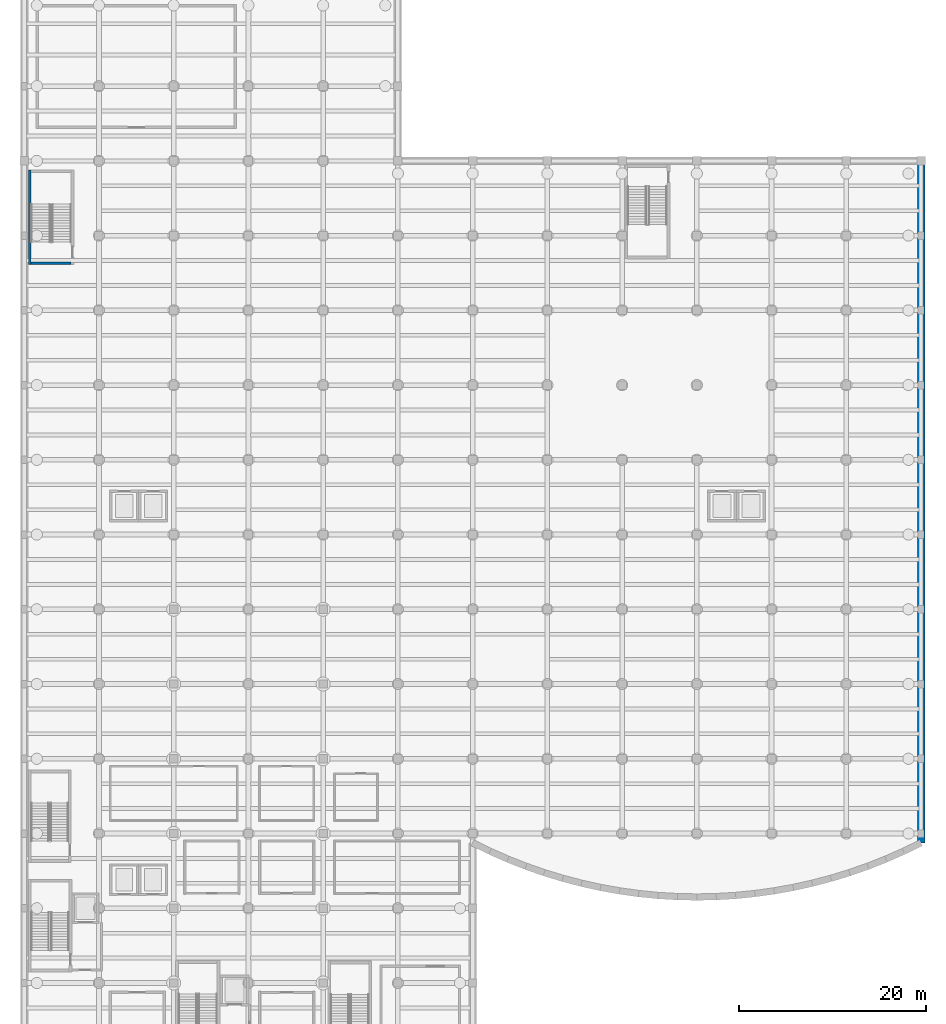
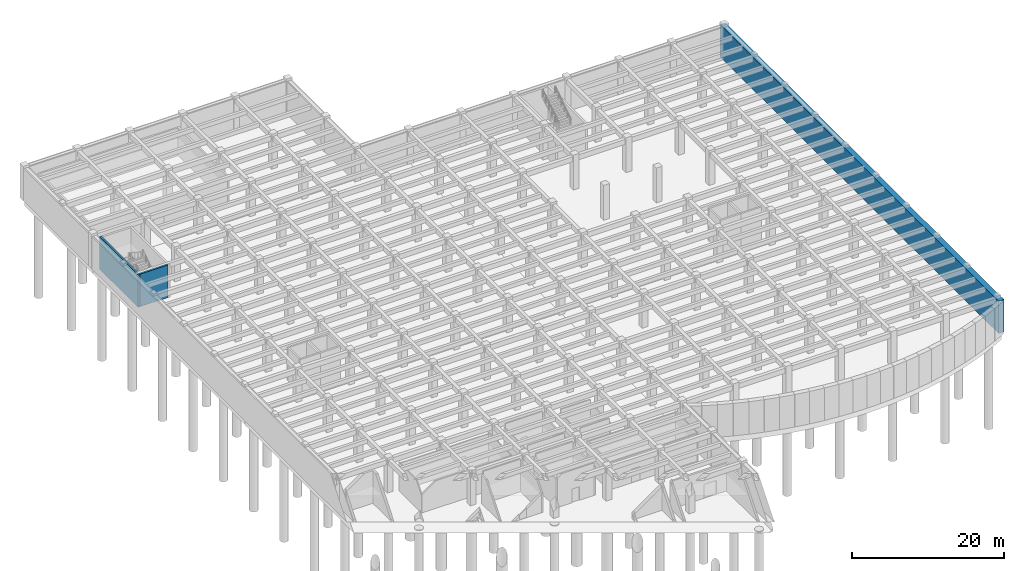
# One storey, part 10 of 18: 3 walls.
"""IFC4 building model written with IfcOpenShell, lengths in metres."""

from ifc_helpers import new_model, si_unit, direction, frame, frame_2d, origin, place, context, subcontext, project, spatial, rectangle, extrude, material, layer, layer_set, type_object, element, save


model = new_model("IFC4")

# Units and contexts
model_context = context("Model", 3, precision=1e-05, world=origin(), true_north=direction((0.0, 1.0)))
body_context = subcontext(model_context, "Body", "Model", "MODEL_VIEW")
ifc_project = project(units=[si_unit("LENGTHUNIT", "METRE"), si_unit("AREAUNIT", "SQUARE_METRE"), si_unit("VOLUMEUNIT", "CUBIC_METRE"), si_unit("PLANEANGLEUNIT", "RADIAN"), si_unit("MASSUNIT", "GRAM", prefix="KILO")], contexts=[model_context])

# Site, building, storey
site_placement = place(None, origin())
site = spatial("IfcSite", under=ifc_project, at=site_placement, CompositionType="ELEMENT")
building_placement = place(site_placement, origin())
building = spatial("IfcBuilding", under=site, at=building_placement, Name="Drelvath Fold Interchange", CompositionType="ELEMENT")
storey_placement = place(building_placement, frame((0.0, 0.0, -11.199951171875)))
storey = spatial("IfcBuildingStorey", under=building, at=storey_placement, Name="B2", CompositionType="ELEMENT", Elevation=-11.199951171875)

# Walls
ifc_material = material(Name="Concrete f'c 45 MPa (6500 psi)", Category="concrete")
ifc_layer_1 = layer(ifc_material, 0.300048828125, Name="Concrete f'c 45 MPa (6500 psi)")
ifc_layer_set_1 = layer_set([ifc_layer_1], Name="Concrete f'c 45 MPa (6500 psi)")
wall_type_1 = type_object("IfcWallType", Name="WL-CR300", PredefinedType="SHEAR", material=ifc_layer_set_1)
wall_1_placement = place(storey_placement, frame((4.75, 88.050048828125, 0.0), z_axis=(0.0, 0.0, 1.0), x_axis=(1.0, 0.0, 0.0)))
element("IfcWall", 1, at=wall_1_placement, inside=storey, type_object=wall_type_1, Name="ST-05 B2 south core wall", PredefinedType="SHEAR", context=body_context, shape_type="SweptSolid", body=[
    extrude(rectangle(XDim=4.280029296875, YDim=0.300048828125, at=frame_2d((2.14013671875, 0.0))), origin(), (0.0, 0.0, 1.0), 5.23486328125),
])
wall_2_placement = place(storey_placement, frame((4.60009765625, 98.050048828125, 0.0), z_axis=(0.0, 0.0, 1.0), x_axis=(0.0, -1.0, 0.0)))
element("IfcWall", 2, at=wall_2_placement, inside=storey, type_object=wall_type_1, Name="ST-05 B2 west core wall", PredefinedType="SHEAR", context=body_context, shape_type="SweptSolid", body=[
    extrude(rectangle(XDim=10.150146484375, YDim=0.300048828125, at=frame_2d((5.0751953125, 0.0))), origin(), (0.0, 0.0, 1.0), 5.23486328125),
])
ifc_layer_2 = layer(ifc_material, 0.800048828125, Name="Concrete f'c 45 MPa (6500 psi)")
ifc_layer_set_2 = layer_set([ifc_layer_2], Name="Concrete f'c 45 MPa (6500 psi)")
wall_type_2 = type_object("IfcWallType", Name="WL-DW800", PredefinedType="SOLIDWALL", material=ifc_layer_set_2)
wall_3_placement = place(storey_placement, frame((100.0, 26.0, 0.0), z_axis=(0.0, 0.0, 1.0), x_axis=(0.0, 1.0, 0.0)))
element("IfcWall", 3, at=wall_3_placement, inside=storey, type_object=wall_type_2, Name="B2 diaphragm wall 3", PredefinedType="SOLIDWALL", context=body_context, shape_type="SweptSolid", body=[
    extrude(rectangle(XDim=73.39990234375, YDim=0.800048828125, at=frame_2d((36.699951171875, 0.0))), origin(), (0.0, 0.0, 1.0), 5.219970703125),
])

save(model, "model.ifc")
